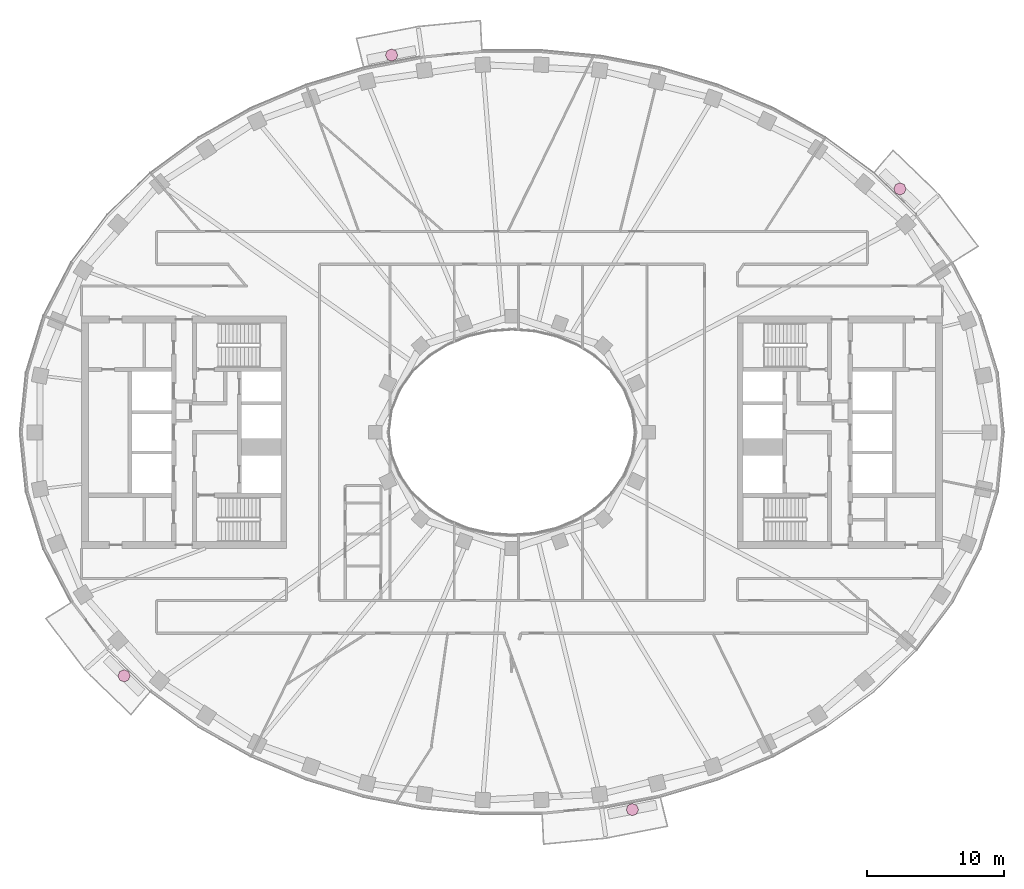
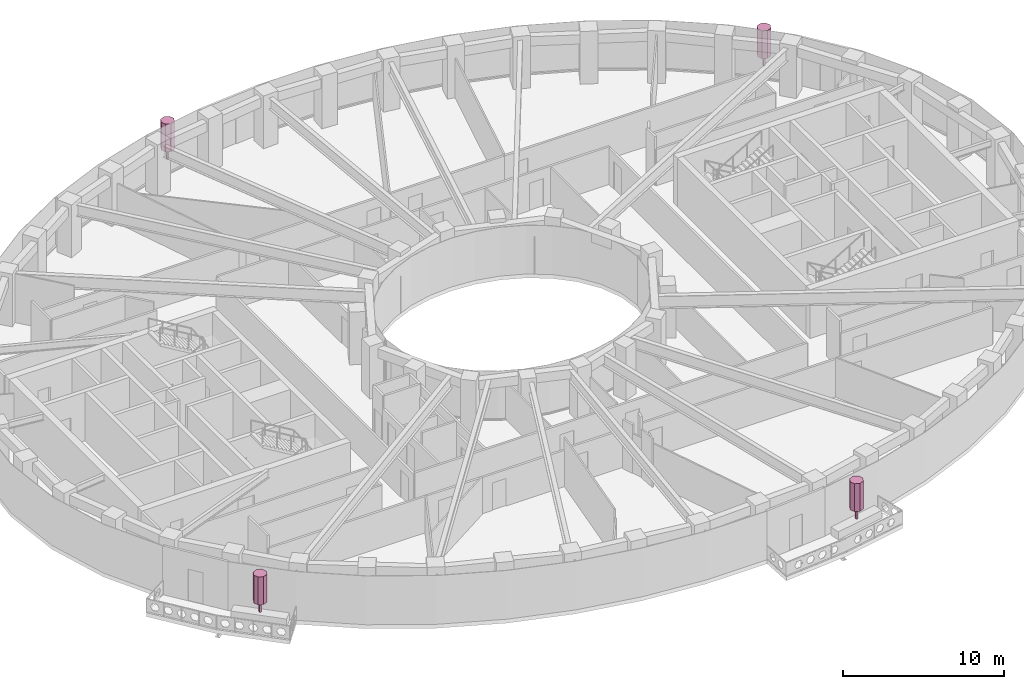
# One storey, part 16 of 16: 4 furnishings.
"""IFC4 building model written with IfcOpenShell, lengths in metres."""

import ifcopenshell
import ifcopenshell.guid

model = None  # the IFC model being written
_history = None  # IfcOwnerHistory: only IFC2X3 demands one
_inside = {}  # id of a spatial element -> (the spatial element, [elements in it])
_under = {}  # id of a project, library or spatial element -> (it, [spatial elements below it])
_declared = {}  # id of a project -> (the project, [libraries it declares])
_typed = {}  # id of a type object -> (the type object, [elements of that type])
_made_of = {}  # id of a material, layer set ... -> (it, [elements and type objects made of it])


def new_model(schema):
    """Start an empty IFC model of exactly this schema.

    Asked for "IFC4X3", IfcOpenShell would pick the latest addendum, in which some entities
    have other attributes; the version numbers below select the first issue.
    IFC2X3 requires an IfcOwnerHistory on every rooted entity: one is made here for all.
    """
    global model, _history
    if schema == "IFC4X3":
        model = ifcopenshell.file(schema_version=(4, 3, 0, 0))
    else:
        model = ifcopenshell.file(schema=schema)
    _inside.clear()
    _under.clear()
    _declared.clear()
    _typed.clear()
    _made_of.clear()
    _history = None
    if model.schema == "IFC2X3":
        org = make("IfcOrganization", Name="unknown")
        user = make(
            "IfcPersonAndOrganization",
            ThePerson=make("IfcPerson", FamilyName="unknown"),
            TheOrganization=org,
        )
        app = make(
            "IfcApplication",
            ApplicationDeveloper=org,
            Version="unknown",
            ApplicationFullName="unknown",
            ApplicationIdentifier="unknown",
        )
        _history = make(
            "IfcOwnerHistory",
            OwningUser=user,
            OwningApplication=app,
            ChangeAction="ADDED",
            CreationDate=0,
        )
    return model


def make(cls, **values):
    """One entity of the class cls with the attributes given. An attribute that is None is left unset."""
    return model.create_entity(
        cls, **{name: value for name, value in values.items() if value is not None}
    )


def rooted(cls, **values):
    """An entity with a GlobalId (a new one), such as an element, a storey or a relation."""
    return make(cls, GlobalId=ifcopenshell.guid.new(), OwnerHistory=_history, **values)


def si_unit(unit_type, name, prefix=None):
    """IfcSIUnit, for example si_unit("LENGTHUNIT", "METRE", prefix="MILLI")."""
    return make("IfcSIUnit", UnitType=unit_type, Prefix=prefix, Name=name)


def assignment(units):
    """IfcUnitAssignment: the units of a project."""
    return None if units is None else make("IfcUnitAssignment", Units=units)


def point(xyz):
    """IfcCartesianPoint."""
    return None if xyz is None else make("IfcCartesianPoint", Coordinates=xyz)


def direction(xyz):
    """IfcDirection."""
    return None if xyz is None else make("IfcDirection", DirectionRatios=xyz)


def frame(location, z_axis=None, x_axis=None):
    """IfcAxis2Placement3D, a coordinate frame: its origin and axes. An axis left out is left unset."""
    return make(
        "IfcAxis2Placement3D",
        Location=point(location),
        Axis=direction(z_axis),
        RefDirection=direction(x_axis),
    )


def frame_2d(location, x_axis=None):
    """IfcAxis2Placement2D, a coordinate frame in the plane: its origin and x axis."""
    return make(
        "IfcAxis2Placement2D", Location=point(location), RefDirection=direction(x_axis)
    )


def origin():
    """The frame at (0, 0, 0) with its axes left unset."""
    return frame((0.0, 0.0, 0.0))


def origin_2d():
    """The frame at (0, 0) in the plane with its x axis left unset."""
    return frame_2d((0.0, 0.0))


def place(relative_to, where):
    """IfcLocalPlacement: puts the frame where relative to a parent placement (None: the world)."""
    return make(
        "IfcLocalPlacement", PlacementRelTo=relative_to, RelativePlacement=where
    )


def context(
    kind, dimensions, precision=None, world=None, true_north=None, identifier=None
):
    """IfcGeometricRepresentationContext, for example the 3D "Model" context."""
    return make(
        "IfcGeometricRepresentationContext",
        ContextIdentifier=identifier,
        ContextType=kind,
        CoordinateSpaceDimension=dimensions,
        Precision=precision,
        WorldCoordinateSystem=world,
        TrueNorth=true_north,
    )


def subcontext(parent, identifier, kind, view, scale=None):
    """IfcGeometricRepresentationSubContext, for example "Body" below "Model"."""
    return make(
        "IfcGeometricRepresentationSubContext",
        ContextIdentifier=identifier,
        ContextType=kind,
        ParentContext=parent,
        TargetScale=scale,
        TargetView=view,
    )


def project(units=None, contexts=None):
    """IfcProject with its units and contexts."""
    return rooted(
        "IfcProject",
        Name="project",
        RepresentationContexts=contexts,
        UnitsInContext=assignment(units),
    )


def spatial(cls, under=None, at=None, **own):
    """A site, building, storey or space (cls), placed at a placement, below another one or the project."""
    s = rooted(cls, ObjectPlacement=at, **own)
    if under is not None:
        _under.setdefault(under.id(), (under, []))[1].append(s)
    return s


def polyline(points):
    """IfcPolyline through the points."""
    return make("IfcPolyline", Points=[point(p) for p in points])


def profile(cls, at=None, kind="AREA", **sizes):
    """A parametric profile (cls). Its sizes go by their IFC names, for example OverallWidth=200.0."""
    return make(cls, ProfileType=kind, Position=at, **sizes)


def rectangle(**sizes):
    """IfcRectangleProfileDef."""
    return profile("IfcRectangleProfileDef", **sizes)


def outline(outer, holes=None, kind="AREA"):
    """IfcArbitraryClosedProfileDef: a profile drawn as a closed curve; with holes, ...WithVoids."""
    if holes is None:
        return make("IfcArbitraryClosedProfileDef", ProfileType=kind, OuterCurve=outer)
    return make(
        "IfcArbitraryProfileDefWithVoids",
        ProfileType=kind,
        OuterCurve=outer,
        InnerCurves=holes,
    )


def extrude(swept, where, along, depth):
    """IfcExtrudedAreaSolid: the profile swept, set in the frame where, extruded along a direction by depth."""
    return make(
        "IfcExtrudedAreaSolid",
        SweptArea=swept,
        Position=where,
        ExtrudedDirection=direction(along),
        Depth=depth,
    )


def shape(context_of_items, identifier, shape_type, items):
    """IfcShapeRepresentation: the items that make up one representation, for example the "Body"."""
    return make(
        "IfcShapeRepresentation",
        ContextOfItems=context_of_items,
        RepresentationIdentifier=identifier,
        RepresentationType=shape_type,
        Items=items,
    )


def material(Name=None, Category=None):
    """IfcMaterial."""
    return make("IfcMaterial", Name=Name, Category=Category)


def made_of(thing, what):
    """Note that an element or type object is made of a material, layer set ...; save() writes the relation."""
    if what is not None:
        _made_of.setdefault(what.id(), (what, []))[1].append(thing)
    return thing


def type_object(cls, material=None, **own):
    """A type object (cls), such as IfcWallType, which elements share."""
    return made_of(rooted(cls, **own), material)


def element(
    cls,
    number,
    at=None,
    inside=None,
    cuts=None,
    type_object=None,
    material=None,
    context=None,
    identifier="Body",
    shape_type=None,
    held_by="IfcProductDefinitionShape",
    body=None,
    shapes=None,
    **own,
):
    """One element of the class cls, such as IfcWall. Its Tag is "e" and its number.

    at: its placement. inside: the storey or other place that contains it. cuts: it is an
    opening in that element (IfcRelVoidsElement). A single representation is given by context,
    identifier, shape_type and body (its items); several are given by shapes. held_by: the class
    of the entity that holds the representations. save() writes the other relations.
    """
    e = rooted(cls, Tag="e%d" % number, ObjectPlacement=at, **own)
    if body is not None:
        shapes = [shape(context, identifier, shape_type, body)]
    if shapes is not None:
        e.Representation = make(held_by, Representations=shapes)
    if inside is not None:
        _inside.setdefault(inside.id(), (inside, []))[1].append(e)
    if cuts is not None:
        rooted(
            "IfcRelVoidsElement", RelatingBuildingElement=cuts, RelatedOpeningElement=e
        )
    if type_object is not None:
        _typed.setdefault(type_object.id(), (type_object, []))[1].append(e)
    return made_of(e, material)


def aggregate(whole, parts):
    """IfcRelAggregates: a whole, such as a stair, and the parts it consists of."""
    return rooted("IfcRelAggregates", RelatingObject=whole, RelatedObjects=parts)


def save(model, path):
    """Write the relations noted so far, then the file.

    IfcRelAggregates (storeys below a building ...), IfcRelContainedInSpatialStructure (elements
    in a storey), IfcRelDefinesByType, IfcRelAssociatesMaterial and IfcRelDeclares: one each for
    every whole, place, type object, material and project.
    """
    for whole, parts in _under.values():
        aggregate(whole, parts)
    for where, things in _inside.values():
        rooted(
            "IfcRelContainedInSpatialStructure",
            RelatedElements=things,
            RelatingStructure=where,
        )
    for kind, things in _typed.values():
        rooted("IfcRelDefinesByType", RelatedObjects=things, RelatingType=kind)
    for what, things in _made_of.values():
        rooted("IfcRelAssociatesMaterial", RelatedObjects=things, RelatingMaterial=what)
    for by, libraries in _declared.values():
        rooted("IfcRelDeclares", RelatingContext=by, RelatedDefinitions=libraries)
    model.write(path)


model = new_model("IFC4")

# Units and contexts
model_context = context("Model", 3, precision=1e-05, world=origin(), true_north=direction((0.0, 1.0)))
body_context = subcontext(model_context, "Body", "Model", "MODEL_VIEW")
ifc_project = project(units=[si_unit("LENGTHUNIT", "METRE"), si_unit("AREAUNIT", "SQUARE_METRE"), si_unit("VOLUMEUNIT", "CUBIC_METRE"), si_unit("PLANEANGLEUNIT", "RADIAN"), si_unit("MASSUNIT", "GRAM", prefix="KILO")], contexts=[model_context])

# Site, building, storey
site_placement = place(None, origin())
site = spatial("IfcSite", under=ifc_project, at=site_placement, CompositionType="ELEMENT")
building_placement = place(site_placement, origin())
building = spatial("IfcBuilding", under=site, at=building_placement, Name="Noorbagh Ring Tower", CompositionType="ELEMENT")
storey_placement = place(building_placement, frame((0.0, 0.0, 245.5)))
storey = spatial("IfcBuildingStorey", under=building, at=storey_placement, Name="L51", CompositionType="ELEMENT", Elevation=245.5)

# Furnishings
ifc_material = material(Name="Planting foliage green")
furnishing_element_type = type_object("IfcFurnishingElementType", Name="ENV-TREE", material=ifc_material)
for number, where, z_axis, x_axis, name in (
    (1, (28.3837890625, 17.814208984375, 0.60009765625), (0.0, 0.0, 1.0), (1.0, 0.0, 0.0), "Tree BN01"),
    (2, (-8.807861328125, 27.603515625, 0.60009765625), (0.0, 0.0, 1.0), (1.0, 0.0, 0.0), "Tree BN04"),
    (3, (-28.3837890625, -17.814208984375, 0.60009765625), (0.0, 0.0, 1.0), (1.0, 0.0, 0.0), "Tree BS01"),
    (4, (8.807861328125, -27.603515625, 0.60009765625), (0.0, 0.0, 1.0), (1.0, 0.0, 0.0), "Tree BS04"),
):
    element("IfcFurnishingElement", number, at=place(storey_placement, frame(where, z_axis=z_axis, x_axis=x_axis)), inside=storey, type_object=furnishing_element_type, Name=name, context=body_context, shape_type="SweptSolid", body=[
        extrude(rectangle(XDim=0.1201171875, YDim=0.1201171875, at=origin_2d()), origin(), (0.0, 0.0, 1.0), 0.825927734375),
        extrude(outline(polyline([(0.449951171875, 0.0), (0.318115234375, 0.318115234375), (0.0, 0.449951171875), (-0.318115234375, 0.318115234375), (-0.449951171875, 0.0), (-0.318115234375, -0.318115234375), (0.0, -0.449951171875), (0.318115234375, -0.318115234375), (0.449951171875, 0.0)])), frame((0.0, 0.0, 0.825927734375)), (0.0, 0.0, 1.0), 2.1240234375),
    ])

save(model, "model.ifc")
